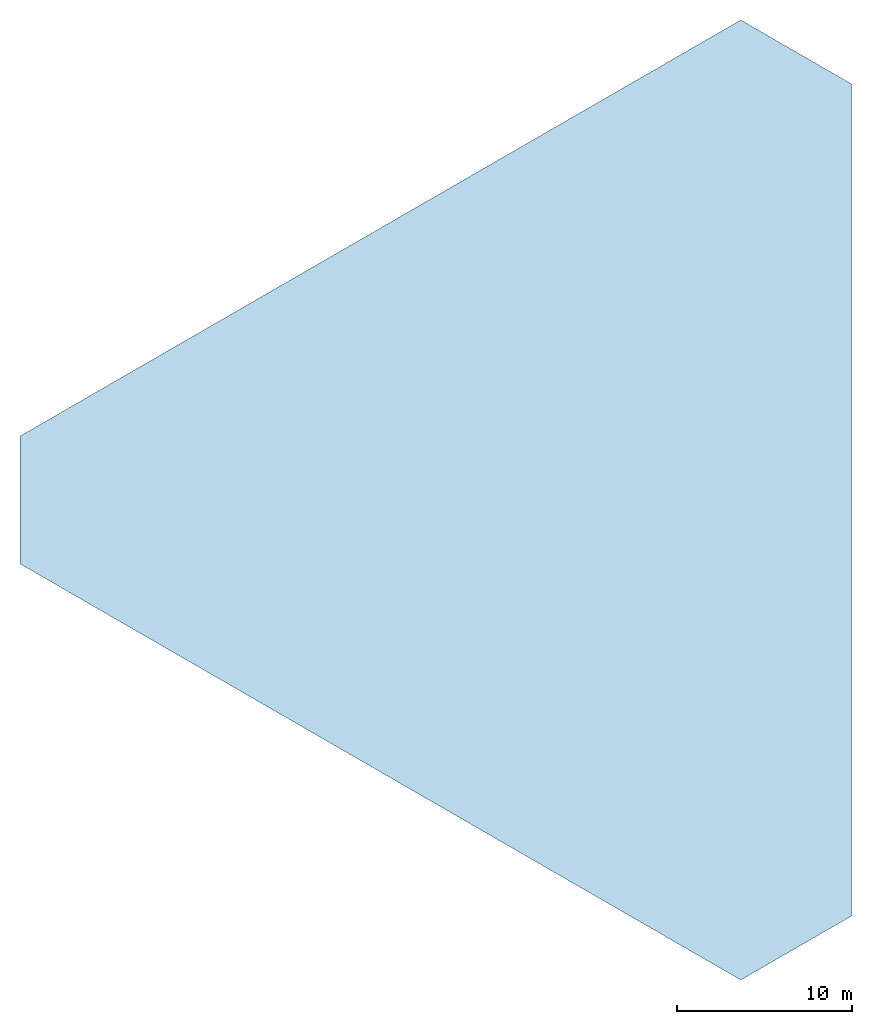
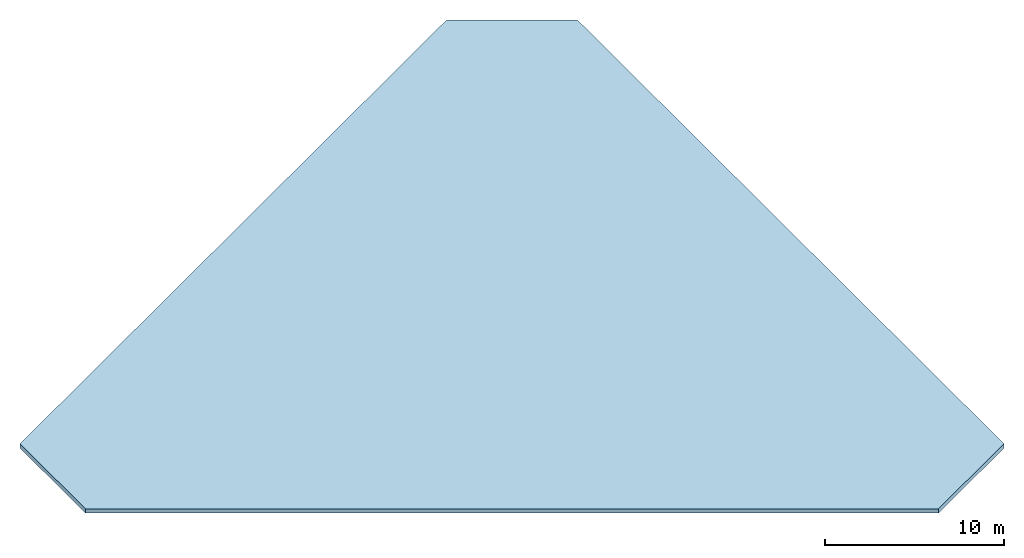
# One storey: 1 slab.
"""IFC4 building model written with IfcOpenShell, lengths in metres."""

from ifc_helpers import new_model, si_unit, direction, frame, origin, place, context, subcontext, project, spatial, polyline, outline, extrude, material, layer, layer_set, type_object, element, save


model = new_model("IFC4")

# Units and contexts
model_context = context("Model", 3, precision=1e-05, world=origin(), true_north=direction((0.0, 1.0)))
body_context = subcontext(model_context, "Body", "Model", "MODEL_VIEW")
ifc_project = project(units=[si_unit("LENGTHUNIT", "METRE"), si_unit("AREAUNIT", "SQUARE_METRE"), si_unit("VOLUMEUNIT", "CUBIC_METRE"), si_unit("PLANEANGLEUNIT", "RADIAN"), si_unit("MASSUNIT", "GRAM", prefix="KILO")], contexts=[model_context])

# Site, building, storey
site_placement = place(None, origin())
site = spatial("IfcSite", under=ifc_project, at=site_placement, CompositionType="ELEMENT")
building_placement = place(site_placement, origin())
building = spatial("IfcBuilding", under=site, at=building_placement, Name="Jabali Bay Hotel Tower and Convention Centre", CompositionType="ELEMENT")
storey_placement = place(building_placement, frame((0.0, 0.0, 338.242919921875)))
storey = spatial("IfcBuildingStorey", under=building, at=storey_placement, Name="Roof Crown Platform 2", CompositionType="ELEMENT", Elevation=338.242919921875)

# Slab
ifc_material = material(Name="Concrete C40", Category="concrete")
ifc_layer = layer(ifc_material, 0.300048828125)
ifc_layer_set = layer_set([ifc_layer], Name="Concrete C40")
slab_type = type_object("IfcSlabType", Name="Crown platform slab 300", PredefinedType="ROOF", material=ifc_layer_set)
slab_placement = place(storey_placement, origin())
element("IfcSlab", 1, at=slab_placement, inside=storey, type_object=slab_type, Name="Crown platform slab 338.343", PredefinedType="ROOF", context=body_context, shape_type="SweptSolid", body=[
    extrude(outline(polyline([(92.94873046875, 56.21337890625), (86.625244140625, 52.562744140625), (45.42578125, 76.34912109375), (45.42578125, 83.65087890625), (86.625244140625, 107.437255859375), (92.94873046875, 103.78662109375), (92.94873046875, 56.21337890625)])), origin(), (0.0, 0.0, 1.0), 0.300048828125),
])

save(model, "model.ifc")
